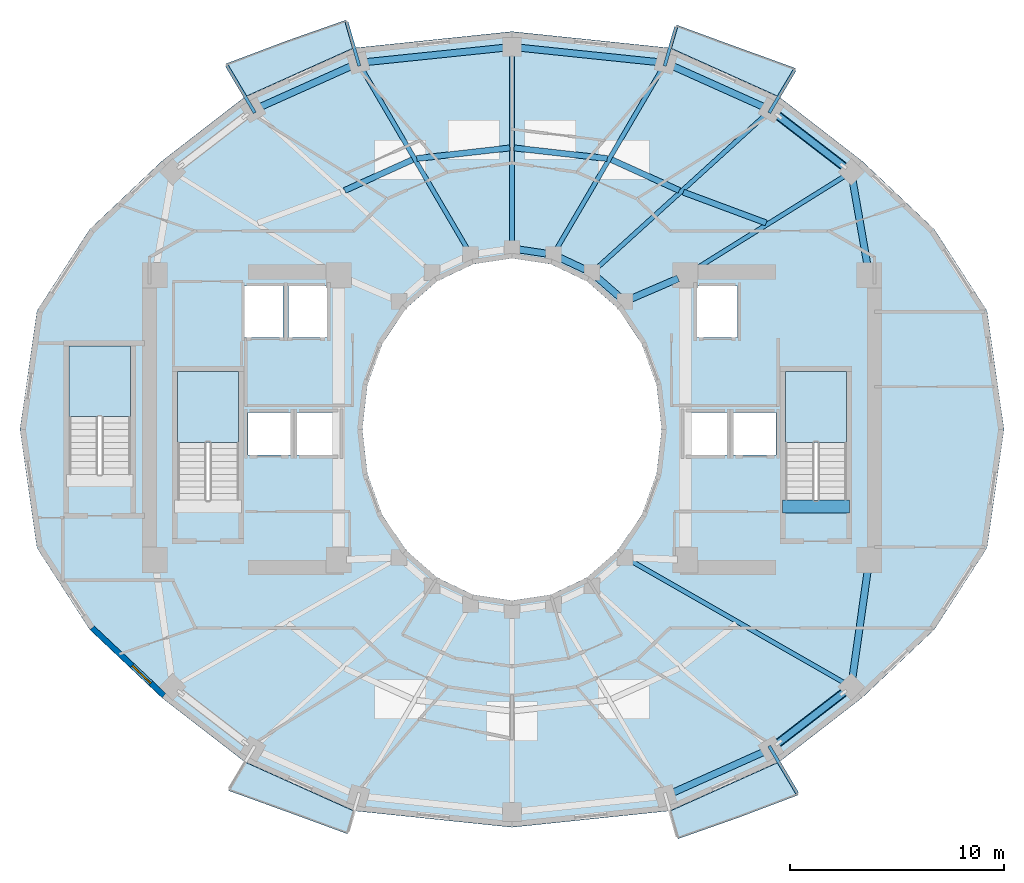
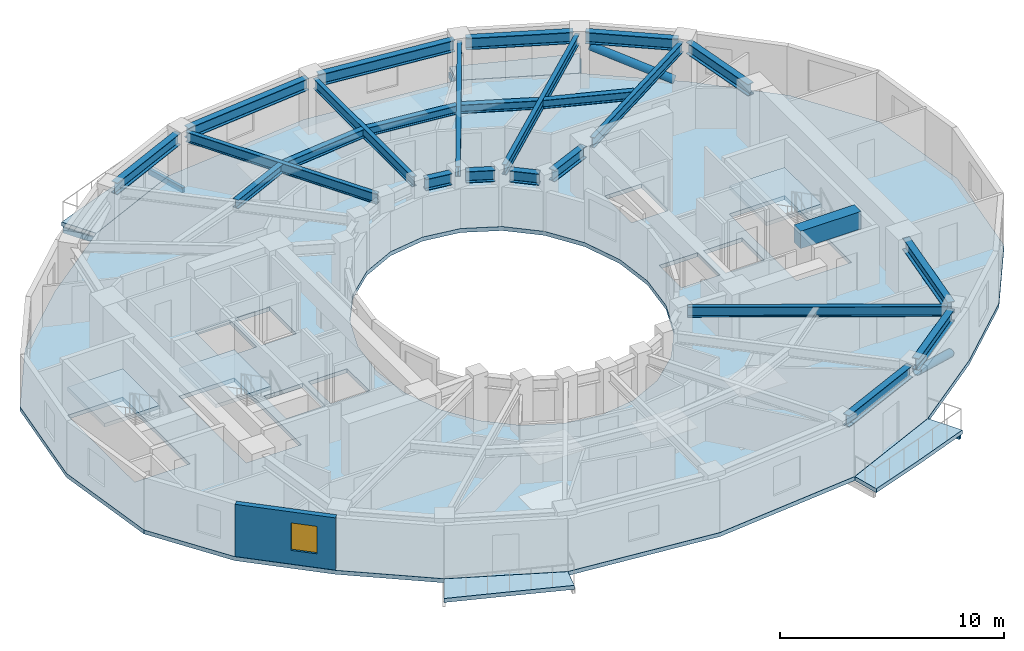
# One storey, part 2 of 10: 30 beams, 8 slabs, 2 members, 1 wall, 1 window, 1 opening, 3 elements without a shape of their own.
"""IFC4 building model written with IfcOpenShell, lengths in metres."""

from ifc_helpers import new_model, si_unit, direction, frame, frame_2d, origin, origin_2d, place, context, subcontext, project, spatial, polyline, rectangle, hollow_rectangle, hollow_circle, i_section, outline, extrude, material, layer, layer_set, material_profile, profile_set, type_object, element, fill, aggregate, save


model = new_model("IFC4")

# Units and contexts
model_context = context("Model", 3, precision=1e-05, world=origin(), true_north=direction((0.0, 1.0)))
body_context = subcontext(model_context, "Body", "Model", "MODEL_VIEW")
ifc_project = project(units=[si_unit("LENGTHUNIT", "METRE"), si_unit("AREAUNIT", "SQUARE_METRE"), si_unit("VOLUMEUNIT", "CUBIC_METRE"), si_unit("PLANEANGLEUNIT", "RADIAN"), si_unit("MASSUNIT", "GRAM", prefix="KILO")], contexts=[model_context])

# Site, building, storey
site_placement = place(None, origin())
site = spatial("IfcSite", under=ifc_project, at=site_placement, CompositionType="ELEMENT")
building_placement = place(site_placement, origin())
building = spatial("IfcBuilding", under=site, at=building_placement, Name="Solvane Sanctuary Tower", CompositionType="ELEMENT")
storey_placement = place(building_placement, frame((0.0, 0.0, 146.699951171875)))
storey = spatial("IfcBuildingStorey", under=building, at=storey_placement, Name="L44", CompositionType="ELEMENT", Elevation=146.699951171875)

# Beams
ifc_material_1 = material(Name="Steel ASTM A500 Grade C", Category="steel")
ifc_material_profile_1 = material_profile(ifc_material_1, hollow_rectangle(XDim=0.14990234375, YDim=0.300048828125, WallThickness=0.010009765625, at=origin_2d()), Name="HSS300X150X10")
ifc_profile_set_1 = profile_set([ifc_material_profile_1], Name="Steel ASTM A500 Grade C")
beam_type_1 = type_object("IfcBeamType", Name="Beam B-BALC-BRK HSS300X150X10", PredefinedType="BEAM", material=ifc_profile_set_1)
beam_1_placement = place(storey_placement, frame((44.021484375, 37.799072265625, -0.3720703125), z_axis=(0.511186541361, 0.859469790005, 0.0), x_axis=(-0.859469790005, 0.511186541361, 0.0)))
element("IfcBeam", 1, at=beam_1_placement, inside=storey, type_object=beam_type_1, Name="L44 Balcony Bracket N1-1", PredefinedType="BEAM", context=body_context, shape_type="SweptSolid", body=[
    extrude(hollow_rectangle(XDim=0.14990234375, YDim=0.300048828125, WallThickness=0.010009765625, at=origin_2d()), origin(), (0.0, 0.0, 1.0), 2.324462890625),
])
beam_2_placement = place(storey_placement, frame((39.135986328125, 39.99072265625, -0.3720703125), z_axis=(0.281901610747, 0.959443318731, 0.0), x_axis=(-0.959443318731, 0.281901610747, 0.0)))
element("IfcBeam", 2, at=beam_2_placement, inside=storey, type_object=beam_type_1, Name="L44 Balcony Bracket N1-2", PredefinedType="BEAM", context=body_context, shape_type="SweptSolid", body=[
    extrude(hollow_rectangle(XDim=0.14990234375, YDim=0.300048828125, WallThickness=0.010009765625, at=origin_2d()), origin(), (0.0, 0.0, 1.0), 1.8974609375),
])
beam_3_placement = place(storey_placement, frame((24.863525390625, 39.990478515625, -0.3720703125), z_axis=(-0.279136242584, 0.960251507719, 0.0), x_axis=(-0.960251507719, -0.279136242584, 0.0)))
element("IfcBeam", 3, at=beam_3_placement, inside=storey, type_object=beam_type_1, Name="L44 Balcony Bracket N2-1", PredefinedType="BEAM", context=body_context, shape_type="SweptSolid", body=[
    extrude(hollow_rectangle(XDim=0.14990234375, YDim=0.300048828125, WallThickness=0.010009765625, at=origin_2d()), origin(), (0.0, 0.0, 1.0), 2.138427734375),
])
for number, where, z_axis, x_axis, name in (
    (4, (19.978515625, 37.799072265625, -0.3720703125), (-0.510248449804, 0.86002704578, 0.0), (-0.86002704578, -0.510248449804, 0.0), "L44 Balcony Bracket N2-2"),
    (5, (44.021484375, 8.200927734375, -0.3720703125), (0.510248449804, -0.86002704578, 0.0), (0.86002704578, 0.510248449804, 0.0), "L44 Balcony Bracket S2-2"),
):
    element("IfcBeam", number, at=place(storey_placement, frame(where, z_axis=z_axis, x_axis=x_axis)), inside=storey, type_object=beam_type_1, Name=name, PredefinedType="BEAM", context=body_context, shape_type="SweptSolid", body=[
        extrude(hollow_rectangle(XDim=0.14990234375, YDim=0.300048828125, WallThickness=0.010009765625, at=origin_2d()), origin(), (0.0, 0.0, 1.0), 2.565185546875),
    ])
ifc_material_2 = material(Name="Concrete C70/85", Category="concrete")
ifc_material_profile_2 = material_profile(ifc_material_2, rectangle(XDim=0.60009765625, YDim=0.949951171875, at=origin_2d()), Name="RC600X950")
ifc_profile_set_2 = profile_set([ifc_material_profile_2], Name="Concrete C70/85")
beam_type_2 = type_object("IfcBeamType", Name="Beam B-COUPLE RC600X950", PredefinedType="LINTEL", material=ifc_profile_set_2)
beam_4_placement = place(storey_placement, frame((44.64990234375, 19.399169921875, 2.625), z_axis=(1.0, 0.0, 0.0), x_axis=(0.0, 1.0, 0.0)))
element("IfcBeam", 6, at=beam_4_placement, inside=storey, type_object=beam_type_2, Name="L44 ST-2 Stair Floor Landing Trimmer", PredefinedType="LINTEL", context=body_context, shape_type="SweptSolid", body=[
    extrude(rectangle(XDim=0.60009765625, YDim=0.949951171875, at=origin_2d()), origin(), (0.0, 0.0, 1.0), 3.1201171875),
])
ifc_material_3 = material(Name="Steel ASTM A992 Grade 50", Category="steel")
ifc_material_profile_3 = material_profile(ifc_material_3, i_section(OverallWidth=0.214111328125, OverallDepth=0.549072265625, WebThickness=0.0146484375, FlangeThickness=0.023681640625, FilletRadius=0.014892578125, at=origin_2d()), Name="W21X93")
ifc_profile_set_3 = profile_set([ifc_material_profile_3], Name="Steel ASTM A992 Grade 50")
beam_type_3 = type_object("IfcBeamType", Name="Beam B-RAD-Z3 W21X93", PredefinedType="JOIST", material=ifc_profile_set_3)
beam_5_placement = place(storey_placement, frame((40.405517578125, 30.390380859375, 2.603515625), z_axis=(0.84882685523, 0.528670946658, 0.0), x_axis=(-0.528670946658, 0.84882685523, 0.0)))
element("IfcBeam", 7, at=beam_5_placement, inside=storey, type_object=beam_type_3, Name="L44 Radial Composite Floor Beam 01", PredefinedType="JOIST", context=body_context, shape_type="SweptSolid", body=[
    extrude(i_section(OverallWidth=0.214111328125, OverallDepth=0.549072265625, WebThickness=0.0146484375, FlangeThickness=0.023681640625, FilletRadius=0.014892578125, at=origin_2d()), origin(), (0.0, 0.0, 1.0), 8.498046875),
])
beam_6_placement = place(storey_placement, frame((35.937255859375, 30.514892578125, 2.603515625), z_axis=(0.74020423772, 0.672382098558, 0.0), x_axis=(-0.672382098558, 0.74020423772, 0.0)))
element("IfcBeam", 8, at=beam_6_placement, inside=storey, type_object=beam_type_3, Name="L44 Radial Composite Floor Beam 02", PredefinedType="JOIST", context=body_context, shape_type="SweptSolid", body=[
    extrude(i_section(OverallWidth=0.214111328125, OverallDepth=0.549072265625, WebThickness=0.0146484375, FlangeThickness=0.023681640625, FilletRadius=0.014892578125, at=origin_2d()), origin(), (0.0, 0.0, 1.0), 10.7451171875),
])
beam_7_placement = place(storey_placement, frame((34.072265625, 31.413330078125, 2.603515625), z_axis=(0.505243742555, 0.862976686017, 0.0), x_axis=(-0.862976686017, 0.505243742555, 0.0)))
element("IfcBeam", 9, at=beam_7_placement, inside=storey, type_object=beam_type_3, Name="L44 Radial Composite Floor Beam 03", PredefinedType="JOIST", context=body_context, shape_type="SweptSolid", body=[
    extrude(i_section(OverallWidth=0.214111328125, OverallDepth=0.549072265625, WebThickness=0.0146484375, FlangeThickness=0.023681640625, FilletRadius=0.014892578125, at=origin_2d()), origin(), (0.0, 0.0, 1.0), 9.826171875),
])
beam_8_placement = place(storey_placement, frame((32.0, 31.739990234375, 2.603515625), z_axis=(0.0, 1.0, 0.0), x_axis=(-1.0, 0.0, 0.0)))
element("IfcBeam", 10, at=beam_8_placement, inside=storey, type_object=beam_type_3, Name="L44 Radial Composite Floor Beam 04", PredefinedType="JOIST", context=body_context, shape_type="SweptSolid", body=[
    extrude(i_section(OverallWidth=0.214111328125, OverallDepth=0.549072265625, WebThickness=0.0146484375, FlangeThickness=0.023681640625, FilletRadius=0.014892578125, at=origin_2d()), origin(), (0.0, 0.0, 1.0), 8.860107421875),
])
beam_9_placement = place(storey_placement, frame((29.927734375, 31.413330078125, 2.603515625), z_axis=(-0.505243742555, 0.862976686017, 0.0), x_axis=(-0.862976686017, -0.505243742555, 0.0)))
element("IfcBeam", 11, at=beam_9_placement, inside=storey, type_object=beam_type_3, Name="L44 Radial Composite Floor Beam 05", PredefinedType="JOIST", context=body_context, shape_type="SweptSolid", body=[
    extrude(i_section(OverallWidth=0.214111328125, OverallDepth=0.549072265625, WebThickness=0.0146484375, FlangeThickness=0.023681640625, FilletRadius=0.014892578125, at=origin_2d()), origin(), (0.0, 0.0, 1.0), 9.826171875),
])
beam_10_placement = place(storey_placement, frame((37.51806640625, 16.87890625, 2.603515625), z_axis=(0.86816302692, -0.496279113694, 0.0), x_axis=(0.496279113694, 0.86816302692, 0.0)))
element("IfcBeam", 12, at=beam_10_placement, inside=storey, type_object=beam_type_3, Name="L44 Radial Composite Floor Beam 14", PredefinedType="JOIST", context=body_context, shape_type="SweptSolid", body=[
    extrude(i_section(OverallWidth=0.214111328125, OverallDepth=0.549072265625, WebThickness=0.0146484375, FlangeThickness=0.023681640625, FilletRadius=0.014892578125, at=origin_2d()), origin(), (0.0, 0.0, 1.0), 11.62841796875),
])
ifc_material_profile_4 = material_profile(ifc_material_3, i_section(OverallWidth=0.324951171875, OverallDepth=0.615966796875, WebThickness=0.013916015625, FlangeThickness=0.021484375, FilletRadius=0.01611328125, at=origin_2d()), Name="W24X117")
ifc_profile_set_4 = profile_set([ifc_material_profile_4], Name="Steel ASTM A992 Grade 50")
beam_type_4 = type_object("IfcBeamType", Name="Beam B-RING-IN2 W24X117", PredefinedType="BEAM", material=ifc_profile_set_4)
beam_11_placement = place(storey_placement, frame((32.34130859375, 31.4091796875, 2.570068359375), z_axis=(0.989019905763, -0.147782360259, 0.0), x_axis=(0.147782360259, 0.989019905763, 0.0)))
element("IfcBeam", 13, at=beam_11_placement, inside=storey, type_object=beam_type_4, Name="L44 Inner Light-Well Ring Beam IC04-IC03", PredefinedType="BEAM", context=body_context, shape_type="SweptSolid", body=[
    extrude(i_section(OverallWidth=0.324951171875, OverallDepth=0.615966796875, WebThickness=0.013916015625, FlangeThickness=0.021484375, FilletRadius=0.01611328125, at=origin_2d()), origin(), (0.0, 0.0, 1.0), 1.26220703125),
])
beam_12_placement = place(storey_placement, frame((34.2431640625, 31.02490234375, 2.570068359375), z_axis=(0.9051808128, -0.425026700502, 0.0), x_axis=(0.425026700502, 0.9051808128, 0.0)))
element("IfcBeam", 14, at=beam_12_placement, inside=storey, type_object=beam_type_4, Name="L44 Inner Light-Well Ring Beam IC03-IC02", PredefinedType="BEAM", context=body_context, shape_type="SweptSolid", body=[
    extrude(i_section(OverallWidth=0.324951171875, OverallDepth=0.615966796875, WebThickness=0.013916015625, FlangeThickness=0.021484375, FilletRadius=0.01611328125, at=origin_2d()), origin(), (0.0, 0.0, 1.0), 1.297607421875),
])
beam_13_placement = place(storey_placement, frame((35.990234375, 30.10009765625, 2.570068359375), z_axis=(0.754311313851, -0.656516901379, 0.0), x_axis=(0.656516901379, 0.754311313851, 0.0)))
element("IfcBeam", 15, at=beam_13_placement, inside=storey, type_object=beam_type_4, Name="L44 Inner Light-Well Ring Beam IC02-IC01", PredefinedType="BEAM", context=body_context, shape_type="SweptSolid", body=[
    extrude(i_section(OverallWidth=0.324951171875, OverallDepth=0.615966796875, WebThickness=0.013916015625, FlangeThickness=0.021484375, FilletRadius=0.01611328125, at=origin_2d()), origin(), (0.0, 0.0, 1.0), 1.358154296875),
])
beam_14_placement = place(storey_placement, frame((37.591796875, 29.11865234375, 2.570068359375), z_axis=(0.918264067649, 0.395968561966, 0.0), x_axis=(-0.395968561966, 0.918264067649, 0.0)))
element("IfcBeam", 16, at=beam_14_placement, inside=storey, type_object=beam_type_4, Name="L44 Inner Light-Well Ring Beam IC01-CE4", PredefinedType="BEAM", context=body_context, shape_type="SweptSolid", body=[
    extrude(i_section(OverallWidth=0.324951171875, OverallDepth=0.615966796875, WebThickness=0.013916015625, FlangeThickness=0.021484375, FilletRadius=0.01611328125, at=origin_2d()), origin(), (0.0, 0.0, 1.0), 2.371337890625),
])
ifc_material_profile_5 = material_profile(ifc_material_3, i_section(OverallWidth=0.280029296875, OverallDepth=0.462890625, WebThickness=0.0107421875, FlangeThickness=0.017333984375, FilletRadius=0.013916015625, at=origin_2d()), Name="W18X76")
ifc_profile_set_5 = profile_set([ifc_material_profile_5], Name="Steel ASTM A992 Grade 50")
beam_type_5 = type_object("IfcBeamType", Name="Beam B-SEC-JOIST W18X76", PredefinedType="JOIST", material=ifc_profile_set_5)
beam_15_placement = place(storey_placement, frame((24.178955078125, 34.16943359375, 2.646484375), z_axis=(0.910488773031, 0.413533788443, 0.0), x_axis=(-0.413533788443, 0.910488773031, 0.0)))
element("IfcBeam", 17, at=beam_15_placement, inside=storey, type_object=beam_type_5, Name="L44 Secondary Circumferential Joist 06-05", PredefinedType="JOIST", context=body_context, shape_type="SweptSolid", body=[
    extrude(i_section(OverallWidth=0.280029296875, OverallDepth=0.462890625, WebThickness=0.0107421875, FlangeThickness=0.017333984375, FilletRadius=0.013916015625, at=origin_2d()), origin(), (0.0, 0.0, 1.0), 3.485595703125),
])
for number, where, z_axis, x_axis, name in (
    (18, (27.546875, 35.66455078125, 2.646484375), (0.993621305354, 0.112768353477, 0.0), (-0.112768353477, 0.993621305354, 0.0), "L44 Secondary Circumferential Joist 05-04"),
    (19, (32.101318359375, 36.158447265625, 2.646484375), (0.993621305354, -0.112768353477, 0.0), (0.112768353477, 0.993621305354, 0.0), "L44 Secondary Circumferential Joist 04-03"),
):
    element("IfcBeam", number, at=place(storey_placement, frame(where, z_axis=z_axis, x_axis=x_axis)), inside=storey, type_object=beam_type_5, Name=name, PredefinedType="JOIST", context=body_context, shape_type="SweptSolid", body=[
        extrude(i_section(OverallWidth=0.280029296875, OverallDepth=0.462890625, WebThickness=0.0107421875, FlangeThickness=0.017333984375, FilletRadius=0.013916015625, at=origin_2d()), origin(), (0.0, 0.0, 1.0), 4.379638671875),
    ])
beam_16_placement = place(storey_placement, frame((36.6474609375, 35.61083984375, 2.646484375), z_axis=(0.91050074995, -0.413507417516, 0.0), x_axis=(0.413507417516, 0.91050074995, 0.0)))
element("IfcBeam", 20, at=beam_16_placement, inside=storey, type_object=beam_type_5, Name="L44 Secondary Circumferential Joist 03-02", PredefinedType="JOIST", context=body_context, shape_type="SweptSolid", body=[
    extrude(i_section(OverallWidth=0.280029296875, OverallDepth=0.462890625, WebThickness=0.0107421875, FlangeThickness=0.017333984375, FilletRadius=0.013916015625, at=origin_2d()), origin(), (0.0, 0.0, 1.0), 3.48583984375),
])
beam_17_placement = place(storey_placement, frame((40.009765625, 34.091796875, 2.646484375), z_axis=(0.937258220662, -0.34863595311, 0.0), x_axis=(0.34863595311, 0.937258220662, 0.0)))
element("IfcBeam", 21, at=beam_17_placement, inside=storey, type_object=beam_type_5, Name="L44 Secondary Circumferential Joist 02-01", PredefinedType="JOIST", context=body_context, shape_type="SweptSolid", body=[
    extrude(i_section(OverallWidth=0.280029296875, OverallDepth=0.462890625, WebThickness=0.0107421875, FlangeThickness=0.017333984375, FilletRadius=0.013916015625, at=origin_2d()), origin(), (0.0, 0.0, 1.0), 4.13232421875),
])
ifc_material_profile_6 = material_profile(ifc_material_3, i_section(OverallWidth=0.327880859375, OverallDepth=0.6279296875, WebThickness=0.0166015625, FlangeThickness=0.027587890625, FilletRadius=0.01611328125, at=origin_2d()), Name="W24X146")
ifc_profile_set_6 = profile_set([ifc_material_profile_6], Name="Steel ASTM A992 Grade 50")
beam_type_6 = type_object("IfcBeamType", Name="Beam B-SPAND-Z3 W24X146", PredefinedType="SPANDREL", material=ifc_profile_set_6)
beam_18_placement = place(storey_placement, frame((20.157470703125, 38.04248046875, 2.56396484375), z_axis=(0.912414349424, 0.409267705744, 0.0), x_axis=(-0.409267705744, 0.912414349424, 0.0)))
element("IfcBeam", 22, at=beam_18_placement, inside=storey, type_object=beam_type_6, Name="L44 Perimeter Spandrel Beam TC06-TC05", PredefinedType="SPANDREL", context=body_context, shape_type="SweptSolid", body=[
    extrude(i_section(OverallWidth=0.327880859375, OverallDepth=0.6279296875, WebThickness=0.0166015625, FlangeThickness=0.027587890625, FilletRadius=0.01611328125, at=origin_2d()), origin(), (0.0, 0.0, 1.0), 4.831787109375),
])
for number, where, z_axis, x_axis, name in (
    (23, (25.10009765625, 40.16357421875, 2.56396484375), (0.994652761118, 0.103275770632, 0.0), (-0.103275770632, 0.994652761118, 0.0), "L44 Perimeter Spandrel Beam TC05-TC04"),
    (24, (32.278564453125, 40.85107421875, 2.56396484375), (0.994652761118, -0.103275770632, 0.0), (0.103275770632, 0.994652761118, 0.0), "L44 Perimeter Spandrel Beam TC04-TC03"),
):
    element("IfcBeam", number, at=place(storey_placement, frame(where, z_axis=z_axis, x_axis=x_axis)), inside=storey, type_object=beam_type_6, Name=name, PredefinedType="SPANDREL", context=body_context, shape_type="SweptSolid", body=[
        extrude(i_section(OverallWidth=0.327880859375, OverallDepth=0.6279296875, WebThickness=0.0166015625, FlangeThickness=0.027587890625, FilletRadius=0.01611328125, at=origin_2d()), origin(), (0.0, 0.0, 1.0), 6.656982421875),
    ])
beam_19_placement = place(storey_placement, frame((39.433837890625, 40.02001953125, 2.56396484375), z_axis=(0.912414349424, -0.409267705744, 0.0), x_axis=(0.409267705744, 0.912414349424, 0.0)))
element("IfcBeam", 25, at=beam_19_placement, inside=storey, type_object=beam_type_6, Name="L44 Perimeter Spandrel Beam TC03-TC02", PredefinedType="SPANDREL", context=body_context, shape_type="SweptSolid", body=[
    extrude(i_section(OverallWidth=0.327880859375, OverallDepth=0.6279296875, WebThickness=0.0166015625, FlangeThickness=0.027587890625, FilletRadius=0.01611328125, at=origin_2d()), origin(), (0.0, 0.0, 1.0), 4.831787109375),
])
beam_20_placement = place(storey_placement, frame((44.31982421875, 37.757080078125, 2.56396484375), z_axis=(0.792020773873, -0.610494139001, 0.0), x_axis=(0.610494139001, 0.792020773873, 0.0)))
element("IfcBeam", 26, at=beam_20_placement, inside=storey, type_object=beam_type_6, Name="L44 Perimeter Spandrel Beam TC02-TC01", PredefinedType="SPANDREL", context=body_context, shape_type="SweptSolid", body=[
    extrude(i_section(OverallWidth=0.327880859375, OverallDepth=0.6279296875, WebThickness=0.0166015625, FlangeThickness=0.027587890625, FilletRadius=0.01611328125, at=origin_2d()), origin(), (0.0, 0.0, 1.0), 4.185302734375),
])
beam_21_placement = place(storey_placement, frame((47.90478515625, 34.75537109375, 2.56396484375), z_axis=(0.171967263087, -0.985102664917, 0.0), x_axis=(0.985102664917, 0.171967263087, 0.0)))
element("IfcBeam", 27, at=beam_21_placement, inside=storey, type_object=beam_type_6, Name="L44 Perimeter Spandrel Beam TC01-CE3", PredefinedType="SPANDREL", context=body_context, shape_type="SweptSolid", body=[
    extrude(i_section(OverallWidth=0.327880859375, OverallDepth=0.6279296875, WebThickness=0.0166015625, FlangeThickness=0.027587890625, FilletRadius=0.01611328125, at=origin_2d()), origin(), (0.0, 0.0, 1.0), 4.34423828125),
])
beam_22_placement = place(storey_placement, frame((39.433837890625, 5.97998046875, 2.56396484375), z_axis=(0.912414349424, 0.409267705744, 0.0), x_axis=(-0.409267705744, 0.912414349424, 0.0)))
element("IfcBeam", 28, at=beam_22_placement, inside=storey, type_object=beam_type_6, Name="L44 Perimeter Spandrel Beam TC12-TC13", PredefinedType="SPANDREL", context=body_context, shape_type="SweptSolid", body=[
    extrude(i_section(OverallWidth=0.327880859375, OverallDepth=0.6279296875, WebThickness=0.0166015625, FlangeThickness=0.027587890625, FilletRadius=0.01611328125, at=origin_2d()), origin(), (0.0, 0.0, 1.0), 4.831787109375),
])
beam_23_placement = place(storey_placement, frame((44.31982421875, 8.242919921875, 2.56396484375), z_axis=(0.792020773873, 0.610494139001, 0.0), x_axis=(-0.610494139001, 0.792020773873, 0.0)))
element("IfcBeam", 29, at=beam_23_placement, inside=storey, type_object=beam_type_6, Name="L44 Perimeter Spandrel Beam TC13-TC14", PredefinedType="SPANDREL", context=body_context, shape_type="SweptSolid", body=[
    extrude(i_section(OverallWidth=0.327880859375, OverallDepth=0.6279296875, WebThickness=0.0166015625, FlangeThickness=0.027587890625, FilletRadius=0.01611328125, at=origin_2d()), origin(), (0.0, 0.0, 1.0), 4.185302734375),
])
beam_24_placement = place(storey_placement, frame((47.89599609375, 11.24609375, 2.56396484375), z_axis=(0.140798255486, 0.990038307972, 0.0), x_axis=(-0.990038307972, 0.140798255486, 0.0)))
element("IfcBeam", 30, at=beam_24_placement, inside=storey, type_object=beam_type_6, Name="L44 Perimeter Spandrel Beam TC14-CE2", PredefinedType="SPANDREL", context=body_context, shape_type="SweptSolid", body=[
    extrude(i_section(OverallWidth=0.327880859375, OverallDepth=0.6279296875, WebThickness=0.0166015625, FlangeThickness=0.027587890625, FilletRadius=0.01611328125, at=origin_2d()), origin(), (0.0, 0.0, 1.0), 5.430908203125),
])

# Members
ifc_material_profile_7 = material_profile(ifc_material_3, hollow_circle(Radius=0.202880859375, WallThickness=0.012451171875, at=origin_2d()), Name="CHS406X12.5")
ifc_profile_set_7 = profile_set([ifc_material_profile_7], Name="Steel ASTM A992 Grade 50")
member_type = type_object("IfcMemberType", Name="Member M-TUBE-Z3 CHS406X12.5", PredefinedType="BRACE", material=ifc_profile_set_7)
for number, where, z_axis, x_axis, name in (
    (31, (47.48974609375, 35.313720703125, 0.5625), (-0.73686018058, 0.568005062922, 0.366616042707), (-0.610513708364, -0.792005689311, 0.0), "L44 Perimeter Braced-Tube Diagonal NE"),
    (32, (47.48974609375, 10.686279296875, 0.5625), (-0.73686018058, -0.568005062922, 0.366616042707), (0.610513708364, -0.792005689311, 0.0), "L44 Perimeter Braced-Tube Diagonal SE"),
):
    element("IfcMember", number, at=place(storey_placement, frame(where, z_axis=z_axis, x_axis=x_axis)), inside=storey, type_object=member_type, Name=name, PredefinedType="BRACE", context=body_context, shape_type="SweptSolid", body=[
        extrude(hollow_circle(Radius=0.202880859375, WallThickness=0.012451171875, at=origin_2d()), origin(), (0.0, 0.0, 1.0), 4.104736328125),
    ])

# Slabs
ifc_material_4 = material(Name="Precast concrete C40/50", Category="concrete")
ifc_layer_1 = layer(ifc_material_4, 0.219970703125, Name="Precast concrete C40/50")
ifc_layer_set_1 = layer_set([ifc_layer_1], Name="Precast concrete C40/50")
slab_type_1 = type_object("IfcSlabType", Name="Slab SL-BALC-200", PredefinedType="FLOOR", material=ifc_layer_set_1)
slab_1_placement = place(storey_placement, frame((0.0, 0.0, -0.219970703125)))
element("IfcSlab", 33, at=slab_1_placement, inside=storey, type_object=slab_type_1, Name="L44 Wave Balcony Slab N1", PredefinedType="FLOOR", context=body_context, shape_type="SweptSolid", body=[
    extrude(outline(polyline([(45.260986328125, 39.8828125), (42.451416015625, 40.89892578125), (39.698974609375, 41.9072265625), (39.411865234375, 40.833251953125), (44.49072265625, 38.549560546875), (45.260986328125, 39.8828125)])), origin(), (0.0, 0.0, 1.0), 0.219970703125),
])
slab_2_placement = place(storey_placement, frame((0.0, 0.0, -0.219970703125)))
element("IfcSlab", 34, at=slab_2_placement, inside=storey, type_object=slab_type_1, Name="L44 Wave Balcony Slab N2", PredefinedType="FLOOR", context=body_context, shape_type="SweptSolid", body=[
    extrude(outline(polyline([(24.238525390625, 42.139892578125), (21.442138671875, 41.156005859375), (18.61865234375, 40.09130859375), (19.50927734375, 38.549560546875), (24.588134765625, 40.833251953125), (24.238525390625, 42.139892578125)])), origin(), (0.0, 0.0, 1.0), 0.219970703125),
])
slab_3_placement = place(storey_placement, frame((0.0, 0.0, -0.219970703125)))
element("IfcSlab", 35, at=slab_3_placement, inside=storey, type_object=slab_type_1, Name="L44 Wave Balcony Slab S1", PredefinedType="FLOOR", context=body_context, shape_type="SweptSolid", body=[
    extrude(outline(polyline([(18.739013671875, 6.1171875), (21.548583984375, 5.10107421875), (24.301025390625, 4.0927734375), (24.588134765625, 5.166748046875), (19.50927734375, 7.450439453125), (18.739013671875, 6.1171875)])), origin(), (0.0, 0.0, 1.0), 0.219970703125),
])
slab_4_placement = place(storey_placement, frame((0.0, 0.0, -0.219970703125)))
element("IfcSlab", 36, at=slab_4_placement, inside=storey, type_object=slab_type_1, Name="L44 Wave Balcony Slab S2", PredefinedType="FLOOR", context=body_context, shape_type="SweptSolid", body=[
    extrude(outline(polyline([(39.761474609375, 3.860107421875), (42.557861328125, 4.843994140625), (45.38134765625, 5.90869140625), (44.49072265625, 7.450439453125), (39.411865234375, 5.166748046875), (39.761474609375, 3.860107421875)])), origin(), (0.0, 0.0, 1.0), 0.219970703125),
])

# Stair, slab
ifc_material_5 = material(Name="Concrete C45/55", Category="concrete")
stair_type = type_object("IfcStairType", Name="Stair ST-TOW", PredefinedType="HALF_TURN_STAIR", material=ifc_material_5)
stair_1_placement = place(storey_placement, origin())
stair_1 = element("IfcStair", 37, at=stair_1_placement, inside=storey, type_object=stair_type, Name="L44 Exit Stair ST-1 West Core", PredefinedType="HALF_TURN_STAIR")
ifc_layer_2 = layer(ifc_material_5, 0.199951171875, Name="Concrete C45/55")
ifc_layer_set_2 = layer_set([ifc_layer_2], Name="Concrete C45/55")
slab_type_2 = type_object("IfcSlabType", Name="Slab SL-LAND-180", PredefinedType="LANDING", material=ifc_layer_set_2)
slab_5_placement = place(storey_placement, frame((0.0, 0.0, 1.35009765625)))
slab_5 = element("IfcSlab", 38, at=slab_5_placement, type_object=slab_type_2, Name="ST-1 landing 1", PredefinedType="LANDING", context=body_context, shape_type="SweptSolid", body=[
    extrude(outline(polyline([(19.219970703125, 22.39990234375), (19.219970703125, 25.699951171875), (16.360107421875, 25.699951171875), (16.360107421875, 22.39990234375), (19.219970703125, 22.39990234375)])), origin(), (0.0, 0.0, 1.0), 0.199951171875),
])
aggregate(stair_1, [slab_5])

stair_2_placement = place(storey_placement, origin())
stair_2 = element("IfcStair", 39, at=stair_2_placement, inside=storey, type_object=stair_type, Name="L44 Exit Stair ST-2 East Core", PredefinedType="HALF_TURN_STAIR")
slab_6_placement = place(storey_placement, frame((0.0, 0.0, 1.35009765625)))
slab_6 = element("IfcSlab", 40, at=slab_6_placement, type_object=slab_type_2, Name="ST-2 landing 1", PredefinedType="LANDING", context=body_context, shape_type="SweptSolid", body=[
    extrude(outline(polyline([(47.639892578125, 22.39990234375), (47.639892578125, 25.699951171875), (44.780029296875, 25.699951171875), (44.780029296875, 22.39990234375), (47.639892578125, 22.39990234375)])), origin(), (0.0, 0.0, 1.0), 0.199951171875),
])
aggregate(stair_2, [slab_6])

stair_3_placement = place(storey_placement, origin())
stair_3 = element("IfcStair", 41, at=stair_3_placement, inside=storey, type_object=stair_type, Name="L44 Exit Stair ST-3 Pilgrim Tower Stair", PredefinedType="HALF_TURN_STAIR")
slab_7_placement = place(storey_placement, frame((0.0, 0.0, 1.35009765625)))
slab_7 = element("IfcSlab", 42, at=slab_7_placement, type_object=slab_type_2, Name="ST-3 landing 1", PredefinedType="LANDING", context=body_context, shape_type="SweptSolid", body=[
    extrude(outline(polyline([(14.159912109375, 23.60009765625), (14.159912109375, 26.89990234375), (11.300048828125, 26.89990234375), (11.300048828125, 23.60009765625), (14.159912109375, 23.60009765625)])), origin(), (0.0, 0.0, 1.0), 0.199951171875),
])
aggregate(stair_3, [slab_7])

# Slab
ifc_layer_3 = layer(ifc_material_5, 0.219970703125, Name="Concrete C45/55")
ifc_layer_set_3 = layer_set([ifc_layer_3], Name="Concrete C45/55")
slab_type_3 = type_object("IfcSlabType", Name="Slab SL-TOW-220", PredefinedType="FLOOR", material=ifc_layer_set_3)
slab_8_placement = place(storey_placement, frame((0.0, 0.0, -0.219970703125)))
element("IfcSlab", 43, at=slab_8_placement, inside=storey, type_object=slab_type_3, Name="L44 Primary Structural Slab", PredefinedType="FLOOR", context=body_context, shape_type="SweptSolid", body=[
    extrude(outline(polyline([(55.0, 23.0), (54.205322265625, 28.54150390625), (51.7392578125, 32.360107421875), (48.368896484375, 35.54345703125), (44.489013671875, 38.5458984375), (39.410400390625, 40.82958984375), (32.0, 41.60009765625), (24.589599609375, 40.82958984375), (19.510986328125, 38.5458984375), (15.631103515625, 35.54345703125), (12.2607421875, 32.360107421875), (9.794677734375, 28.54150390625), (9.0, 23.0), (9.794677734375, 17.45849609375), (12.2607421875, 13.639892578125), (15.631103515625, 10.45654296875), (19.510986328125, 7.4541015625), (24.589599609375, 5.17041015625), (32.0, 4.39990234375), (39.410400390625, 5.17041015625), (44.489013671875, 7.4541015625), (48.368896484375, 10.45654296875), (51.7392578125, 13.639892578125), (54.205322265625, 17.45849609375), (55.0, 23.0)]), holes=[polyline([(38.761474609375, 20.929443359375), (38.062255859375, 19.0), (36.94970703125, 17.343017578125), (35.5, 16.07177734375), (33.811767578125, 15.272705078125), (32.0, 15.0), (30.188232421875, 15.272705078125), (28.5, 16.07177734375), (27.05029296875, 17.343017578125), (25.937744140625, 19.0), (25.238525390625, 20.929443359375), (25.0, 23.0), (25.238525390625, 25.070556640625), (25.937744140625, 27.0), (27.05029296875, 28.656982421875), (28.5, 29.92822265625), (30.188232421875, 30.727294921875), (32.0, 31.0), (33.811767578125, 30.727294921875), (35.5, 29.92822265625), (36.94970703125, 28.656982421875), (38.062255859375, 27.0), (38.761474609375, 25.070556640625), (39.0, 23.0), (38.761474609375, 20.929443359375)]), polyline([(16.360107421875, 19.699951171875), (16.360107421875, 25.699951171875), (19.219970703125, 25.699951171875), (19.219970703125, 19.699951171875), (16.360107421875, 19.699951171875)]), polyline([(44.780029296875, 19.699951171875), (44.780029296875, 25.699951171875), (47.639892578125, 25.699951171875), (47.639892578125, 19.699951171875), (44.780029296875, 19.699951171875)]), polyline([(11.300048828125, 20.89990234375), (11.300048828125, 26.89990234375), (14.159912109375, 26.89990234375), (14.159912109375, 20.89990234375), (11.300048828125, 20.89990234375)]), polyline([(19.64990234375, 23.800048828125), (21.64990234375, 23.800048828125), (21.64990234375, 21.800048828125), (19.64990234375, 21.800048828125), (19.64990234375, 23.800048828125)]), polyline([(42.35009765625, 23.800048828125), (44.35009765625, 23.800048828125), (44.35009765625, 21.800048828125), (42.35009765625, 21.800048828125), (42.35009765625, 23.800048828125)]), polyline([(21.949951171875, 23.800048828125), (23.949951171875, 23.800048828125), (23.949951171875, 21.800048828125), (21.949951171875, 21.800048828125), (21.949951171875, 23.800048828125)]), polyline([(40.050048828125, 23.800048828125), (42.050048828125, 23.800048828125), (42.050048828125, 21.800048828125), (40.050048828125, 21.800048828125), (40.050048828125, 23.800048828125)]), polyline([(19.5, 29.699951171875), (21.300048828125, 29.699951171875), (21.300048828125, 27.300048828125), (19.5, 27.300048828125), (19.5, 29.699951171875)]), polyline([(21.550048828125, 29.699951171875), (23.35009765625, 29.699951171875), (23.35009765625, 27.300048828125), (21.550048828125, 27.300048828125), (21.550048828125, 29.699951171875)]), polyline([(40.64990234375, 29.699951171875), (42.550048828125, 29.699951171875), (42.550048828125, 27.300048828125), (40.64990234375, 27.300048828125), (40.64990234375, 29.699951171875)])]), origin(), (0.0, 0.0, 1.0), 0.219970703125),
])

# Wall, opening, window
ifc_layer_4 = layer(ifc_material_4, 0.260009765625, Name="Precast concrete C40/50")
ifc_layer_set_4 = layer_set([ifc_layer_4], Name="Precast concrete C40/50")
wall_type = type_object("IfcWallType", Name="Wall W-EXT-250", PredefinedType="STANDARD", material=ifc_layer_set_4)
wall_placement = place(storey_placement, frame((12.380859375, 13.71630859375, 0.0), z_axis=(0.0, 0.0, 1.0), x_axis=(0.727667301037, -0.68593024354, 0.0)))
wall = element("IfcWall", 44, at=wall_placement, inside=storey, type_object=wall_type, Name="L44 Ceramic-Printed Facade Wall 14", PredefinedType="STANDARD", context=body_context, shape_type="SweptSolid", body=[
    extrude(rectangle(XDim=4.603515625, YDim=0.260009765625, at=frame_2d((2.3017578125, 0.0))), origin(), (0.0, 0.0, 1.0), 2.85009765625),
])
opening_placement = place(wall_placement, frame((2.5595703125, 0.0, 0.75)))
opening = element("IfcOpeningElement", 45, at=opening_placement, cuts=wall, Name="Opening WN-OPER-1200", PredefinedType="OPENING", context=body_context, shape_type="SweptSolid", body=[
    extrude(rectangle(XDim=1.199951171875, YDim=1.5, at=frame_2d((0.60009765625, 0.75))), frame((0.0, 0.139892578125, 0.0), z_axis=(0.0, -1.0, 0.0), x_axis=(1.0, 0.0, 0.0)), (0.0, 0.0, 1.0), 0.280029296875),
])
ifc_material_6 = material(Name="Dark Ceramic-Fritted Low-E Glass", Category="glass")
window_type = type_object("IfcWindowType", Name="Window WN-OPER-1200", PartitioningType="SINGLE_PANEL", PredefinedType="WINDOW", material=ifc_material_6)
window_placement = place(opening_placement, origin())
window = element("IfcWindow", 46, at=window_placement, inside=storey, type_object=window_type, Name="L44 Operable Facade Window 14", OverallHeight=1.5, OverallWidth=1.199951171875, PartitioningType="SINGLE_PANEL", PredefinedType="WINDOW", context=body_context, shape_type="SweptSolid", body=[
    extrude(rectangle(XDim=1.199951171875, YDim=1.5, at=frame_2d((0.60009765625, 0.75))), frame((0.0, 0.030029296875, 0.0), z_axis=(0.0, -1.0, 0.0), x_axis=(1.0, 0.0, 0.0)), (0.0, 0.0, 1.0), 0.06005859375),
])
fill(opening, window)

save(model, "model.ifc")
